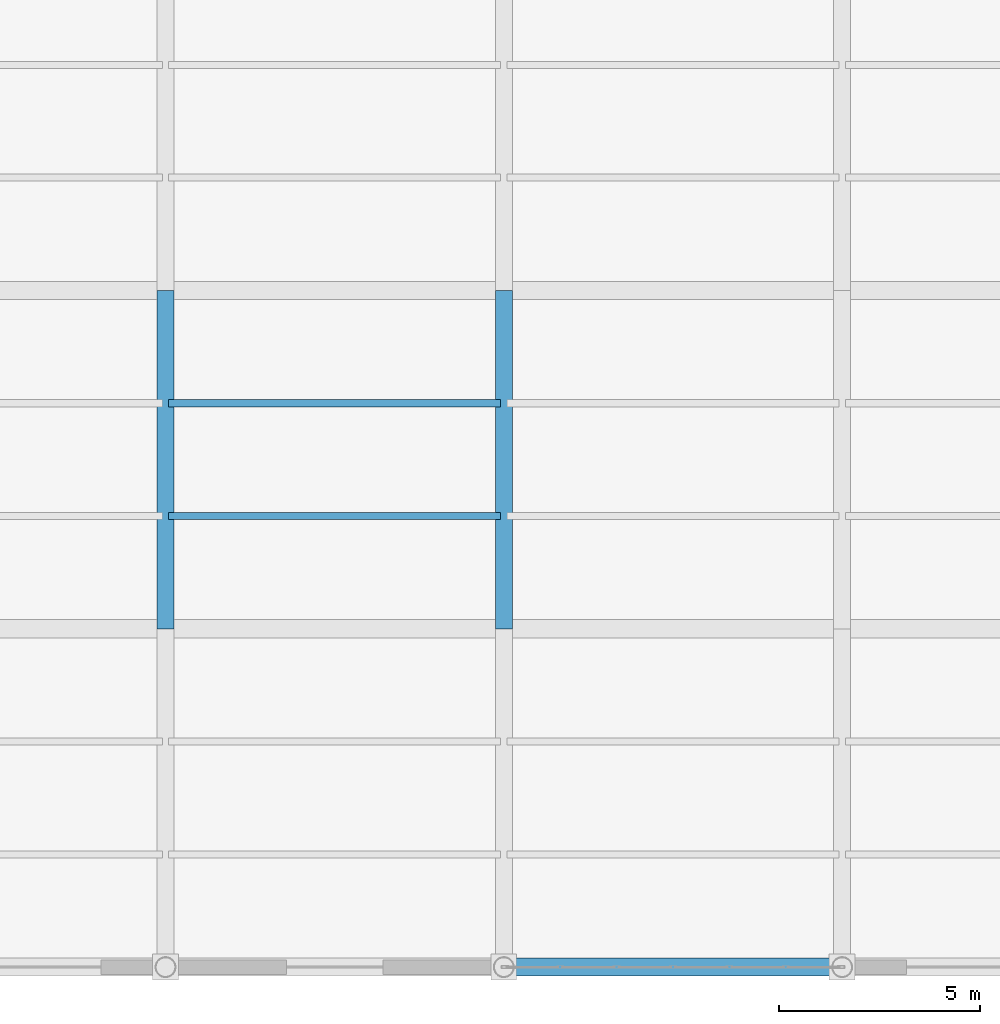
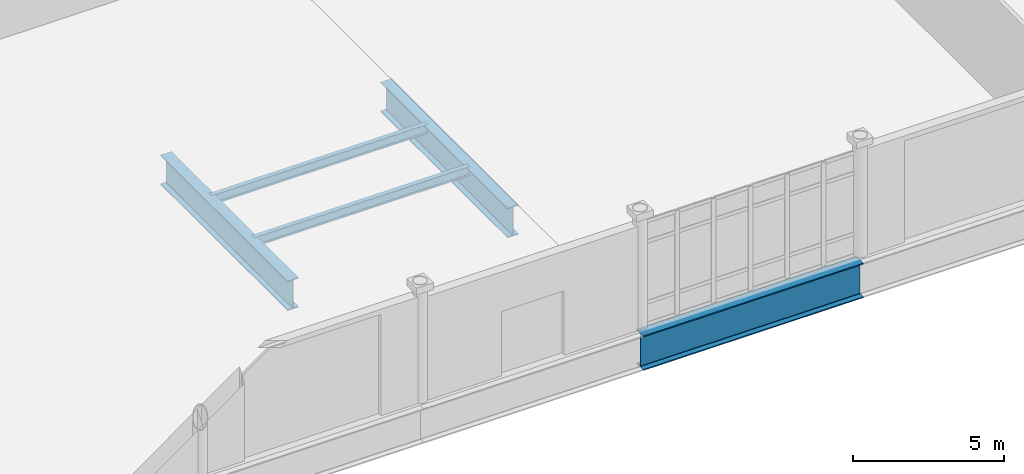
# One storey, part 47 of 145: 5 beams.
"""IFC4 building model written with IfcOpenShell, lengths in metres."""

import ifcopenshell
import ifcopenshell.guid

model = None  # the IFC model being written
_history = None  # IfcOwnerHistory: only IFC2X3 demands one
_inside = {}  # id of a spatial element -> (the spatial element, [elements in it])
_under = {}  # id of a project, library or spatial element -> (it, [spatial elements below it])
_declared = {}  # id of a project -> (the project, [libraries it declares])
_typed = {}  # id of a type object -> (the type object, [elements of that type])
_made_of = {}  # id of a material, layer set ... -> (it, [elements and type objects made of it])


def new_model(schema):
    """Start an empty IFC model of exactly this schema.

    Asked for "IFC4X3", IfcOpenShell would pick the latest addendum, in which some entities
    have other attributes; the version numbers below select the first issue.
    IFC2X3 requires an IfcOwnerHistory on every rooted entity: one is made here for all.
    """
    global model, _history
    if schema == "IFC4X3":
        model = ifcopenshell.file(schema_version=(4, 3, 0, 0))
    else:
        model = ifcopenshell.file(schema=schema)
    _inside.clear()
    _under.clear()
    _declared.clear()
    _typed.clear()
    _made_of.clear()
    _history = None
    if model.schema == "IFC2X3":
        org = make("IfcOrganization", Name="unknown")
        user = make(
            "IfcPersonAndOrganization",
            ThePerson=make("IfcPerson", FamilyName="unknown"),
            TheOrganization=org,
        )
        app = make(
            "IfcApplication",
            ApplicationDeveloper=org,
            Version="unknown",
            ApplicationFullName="unknown",
            ApplicationIdentifier="unknown",
        )
        _history = make(
            "IfcOwnerHistory",
            OwningUser=user,
            OwningApplication=app,
            ChangeAction="ADDED",
            CreationDate=0,
        )
    return model


def make(cls, **values):
    """One entity of the class cls with the attributes given. An attribute that is None is left unset."""
    return model.create_entity(
        cls, **{name: value for name, value in values.items() if value is not None}
    )


def rooted(cls, **values):
    """An entity with a GlobalId (a new one), such as an element, a storey or a relation."""
    return make(cls, GlobalId=ifcopenshell.guid.new(), OwnerHistory=_history, **values)


def si_unit(unit_type, name, prefix=None):
    """IfcSIUnit, for example si_unit("LENGTHUNIT", "METRE", prefix="MILLI")."""
    return make("IfcSIUnit", UnitType=unit_type, Prefix=prefix, Name=name)


def assignment(units):
    """IfcUnitAssignment: the units of a project."""
    return None if units is None else make("IfcUnitAssignment", Units=units)


def point(xyz):
    """IfcCartesianPoint."""
    return None if xyz is None else make("IfcCartesianPoint", Coordinates=xyz)


def direction(xyz):
    """IfcDirection."""
    return None if xyz is None else make("IfcDirection", DirectionRatios=xyz)


def frame(location, z_axis=None, x_axis=None):
    """IfcAxis2Placement3D, a coordinate frame: its origin and axes. An axis left out is left unset."""
    return make(
        "IfcAxis2Placement3D",
        Location=point(location),
        Axis=direction(z_axis),
        RefDirection=direction(x_axis),
    )


def frame_2d(location, x_axis=None):
    """IfcAxis2Placement2D, a coordinate frame in the plane: its origin and x axis."""
    return make(
        "IfcAxis2Placement2D", Location=point(location), RefDirection=direction(x_axis)
    )


def origin():
    """The frame at (0, 0, 0) with its axes left unset."""
    return frame((0.0, 0.0, 0.0))


def origin_2d():
    """The frame at (0, 0) in the plane with its x axis left unset."""
    return frame_2d((0.0, 0.0))


def place(relative_to, where):
    """IfcLocalPlacement: puts the frame where relative to a parent placement (None: the world)."""
    return make(
        "IfcLocalPlacement", PlacementRelTo=relative_to, RelativePlacement=where
    )


def context(
    kind, dimensions, precision=None, world=None, true_north=None, identifier=None
):
    """IfcGeometricRepresentationContext, for example the 3D "Model" context."""
    return make(
        "IfcGeometricRepresentationContext",
        ContextIdentifier=identifier,
        ContextType=kind,
        CoordinateSpaceDimension=dimensions,
        Precision=precision,
        WorldCoordinateSystem=world,
        TrueNorth=true_north,
    )


def subcontext(parent, identifier, kind, view, scale=None):
    """IfcGeometricRepresentationSubContext, for example "Body" below "Model"."""
    return make(
        "IfcGeometricRepresentationSubContext",
        ContextIdentifier=identifier,
        ContextType=kind,
        ParentContext=parent,
        TargetScale=scale,
        TargetView=view,
    )


def project(units=None, contexts=None):
    """IfcProject with its units and contexts."""
    return rooted(
        "IfcProject",
        Name="project",
        RepresentationContexts=contexts,
        UnitsInContext=assignment(units),
    )


def spatial(cls, under=None, at=None, **own):
    """A site, building, storey or space (cls), placed at a placement, below another one or the project."""
    s = rooted(cls, ObjectPlacement=at, **own)
    if under is not None:
        _under.setdefault(under.id(), (under, []))[1].append(s)
    return s


def profile(cls, at=None, kind="AREA", **sizes):
    """A parametric profile (cls). Its sizes go by their IFC names, for example OverallWidth=200.0."""
    return make(cls, ProfileType=kind, Position=at, **sizes)


def i_section(**sizes):
    """IfcIShapeProfileDef."""
    return profile("IfcIShapeProfileDef", **sizes)


def extrude(swept, where, along, depth):
    """IfcExtrudedAreaSolid: the profile swept, set in the frame where, extruded along a direction by depth."""
    return make(
        "IfcExtrudedAreaSolid",
        SweptArea=swept,
        Position=where,
        ExtrudedDirection=direction(along),
        Depth=depth,
    )


def shape(context_of_items, identifier, shape_type, items):
    """IfcShapeRepresentation: the items that make up one representation, for example the "Body"."""
    return make(
        "IfcShapeRepresentation",
        ContextOfItems=context_of_items,
        RepresentationIdentifier=identifier,
        RepresentationType=shape_type,
        Items=items,
    )


def material(Name=None, Category=None):
    """IfcMaterial."""
    return make("IfcMaterial", Name=Name, Category=Category)


def material_profile(
    of_material, cross_section, Name=None, Category=None, Priority=None
):
    """IfcMaterialProfile: a cross section and its material."""
    return make(
        "IfcMaterialProfile",
        Name=Name,
        Material=of_material,
        Profile=cross_section,
        Priority=Priority,
        Category=Category,
    )


def profile_set(profiles, Name=None, composite=None):
    """IfcMaterialProfileSet."""
    return make(
        "IfcMaterialProfileSet",
        Name=Name,
        MaterialProfiles=profiles,
        CompositeProfile=composite,
    )


def made_of(thing, what):
    """Note that an element or type object is made of a material, layer set ...; save() writes the relation."""
    if what is not None:
        _made_of.setdefault(what.id(), (what, []))[1].append(thing)
    return thing


def type_object(cls, material=None, **own):
    """A type object (cls), such as IfcWallType, which elements share."""
    return made_of(rooted(cls, **own), material)


def element(
    cls,
    number,
    at=None,
    inside=None,
    cuts=None,
    type_object=None,
    material=None,
    context=None,
    identifier="Body",
    shape_type=None,
    held_by="IfcProductDefinitionShape",
    body=None,
    shapes=None,
    **own,
):
    """One element of the class cls, such as IfcWall. Its Tag is "e" and its number.

    at: its placement. inside: the storey or other place that contains it. cuts: it is an
    opening in that element (IfcRelVoidsElement). A single representation is given by context,
    identifier, shape_type and body (its items); several are given by shapes. held_by: the class
    of the entity that holds the representations. save() writes the other relations.
    """
    e = rooted(cls, Tag="e%d" % number, ObjectPlacement=at, **own)
    if body is not None:
        shapes = [shape(context, identifier, shape_type, body)]
    if shapes is not None:
        e.Representation = make(held_by, Representations=shapes)
    if inside is not None:
        _inside.setdefault(inside.id(), (inside, []))[1].append(e)
    if cuts is not None:
        rooted(
            "IfcRelVoidsElement", RelatingBuildingElement=cuts, RelatedOpeningElement=e
        )
    if type_object is not None:
        _typed.setdefault(type_object.id(), (type_object, []))[1].append(e)
    return made_of(e, material)


def aggregate(whole, parts):
    """IfcRelAggregates: a whole, such as a stair, and the parts it consists of."""
    return rooted("IfcRelAggregates", RelatingObject=whole, RelatedObjects=parts)


def save(model, path):
    """Write the relations noted so far, then the file.

    IfcRelAggregates (storeys below a building ...), IfcRelContainedInSpatialStructure (elements
    in a storey), IfcRelDefinesByType, IfcRelAssociatesMaterial and IfcRelDeclares: one each for
    every whole, place, type object, material and project.
    """
    for whole, parts in _under.values():
        aggregate(whole, parts)
    for where, things in _inside.values():
        rooted(
            "IfcRelContainedInSpatialStructure",
            RelatedElements=things,
            RelatingStructure=where,
        )
    for kind, things in _typed.values():
        rooted("IfcRelDefinesByType", RelatedObjects=things, RelatingType=kind)
    for what, things in _made_of.values():
        rooted("IfcRelAssociatesMaterial", RelatedObjects=things, RelatingMaterial=what)
    for by, libraries in _declared.values():
        rooted("IfcRelDeclares", RelatingContext=by, RelatedDefinitions=libraries)
    model.write(path)


model = new_model("IFC4")

# Units and contexts
model_context = context("Model", 3, precision=1e-05, world=origin(), true_north=direction((0.0, 1.0)))
body_context = subcontext(model_context, "Body", "Model", "MODEL_VIEW")
ifc_project = project(units=[si_unit("LENGTHUNIT", "METRE"), si_unit("AREAUNIT", "SQUARE_METRE"), si_unit("VOLUMEUNIT", "CUBIC_METRE"), si_unit("PLANEANGLEUNIT", "RADIAN"), si_unit("MASSUNIT", "GRAM", prefix="KILO")], contexts=[model_context])

# Site, building, storey
site_placement = place(None, origin())
site = spatial("IfcSite", under=ifc_project, at=site_placement, CompositionType="ELEMENT")
building_placement = place(site_placement, origin())
building = spatial("IfcBuilding", under=site, at=building_placement, Name="Qalvenar Corner Mobility Hub", CompositionType="ELEMENT")
storey_placement = place(building_placement, origin())
storey = spatial("IfcBuildingStorey", under=building, at=storey_placement, Name="L00", CompositionType="ELEMENT", Elevation=0.0)

# Beams
ifc_material = material(Name="Steel S355", Category="steel")
ifc_material_profile_1 = material_profile(ifc_material, i_section(OverallWidth=0.175048828125, OverallDepth=0.3798828125, WebThickness=0.00830078125, FlangeThickness=0.012939453125, FilletRadius=0.01806640625, at=origin_2d()), Name="IPE380-EQ")
ifc_profile_set_1 = profile_set([ifc_material_profile_1], Name="Steel S355")
beam_type_1 = type_object("IfcBeamType", Name="BM-JST380", PredefinedType="JOIST", material=ifc_profile_set_1)
for number, where, z_axis, x_axis, name in (
    (1, (67.278076171875, 11.199951171875, -0.43994140625), (1.0, 0.0, 0.0), (0.0, 1.0, 0.0), "Composite Floor Joist J-0210"),
    (2, (67.278076171875, 14.0, -0.43994140625), (1.0, 0.0, 0.0), (0.0, 1.0, 0.0), "Composite Floor Joist J-0211"),
):
    element("IfcBeam", number, at=place(storey_placement, frame(where, z_axis=z_axis, x_axis=x_axis)), inside=storey, type_object=beam_type_1, Name=name, PredefinedType="JOIST", context=body_context, shape_type="SweptSolid", body=[
        extrude(i_section(OverallWidth=0.175048828125, OverallDepth=0.3798828125, WebThickness=0.00830078125, FlangeThickness=0.012939453125, FilletRadius=0.01806640625, at=origin_2d()), origin(), (0.0, 0.0, 1.0), 8.243896484375),
    ])
ifc_material_profile_2 = material_profile(ifc_material, i_section(OverallWidth=0.419921875, OverallDepth=1.199951171875, WebThickness=0.02197265625, FlangeThickness=0.0380859375, FilletRadius=0.02392578125, at=origin_2d()), Name="W1100x390-TG1200")
ifc_profile_set_2 = profile_set([ifc_material_profile_2], Name="Steel S355")
beam_type_2 = type_object("IfcBeamType", Name="BM-TG1200", PredefinedType="T_BEAM", material=ifc_profile_set_2)
for number, where, z_axis, x_axis, name in (
    (3, (67.199951171875, 8.39990234375, -0.85009765625), (0.0, 1.0, 0.0), (-1.0, 0.0, 0.0), "Transfer Girder TG-0169"),
    (4, (75.60009765625, 8.39990234375, -0.85009765625), (0.0, 1.0, 0.0), (-1.0, 0.0, 0.0), "Transfer Girder TG-0173"),
):
    element("IfcBeam", number, at=place(storey_placement, frame(where, z_axis=z_axis, x_axis=x_axis)), inside=storey, type_object=beam_type_2, Name=name, PredefinedType="T_BEAM", context=body_context, shape_type="SweptSolid", body=[
        extrude(i_section(OverallWidth=0.419921875, OverallDepth=1.199951171875, WebThickness=0.02197265625, FlangeThickness=0.0380859375, FilletRadius=0.02392578125, at=origin_2d()), origin(), (0.0, 0.0, 1.0), 8.400146484375),
    ])
ifc_material_profile_3 = material_profile(ifc_material, i_section(OverallWidth=0.449951171875, OverallDepth=1.39990234375, WebThickness=0.02587890625, FlangeThickness=0.0439453125, FilletRadius=0.02392578125, at=origin_2d()), Name="W1100x499-TG1400")
ifc_profile_set_3 = profile_set([ifc_material_profile_3], Name="Steel S355")
beam_type_3 = type_object("IfcBeamType", Name="BM-TG1400", PredefinedType="T_BEAM", material=ifc_profile_set_3)
beam_placement = place(storey_placement, frame((75.60009765625, 0.0, -0.949951171875), z_axis=(1.0, 0.0, 0.0), x_axis=(0.0, 1.0, 0.0)))
element("IfcBeam", 5, at=beam_placement, inside=storey, type_object=beam_type_3, Name="Transfer Girder TG-0132", PredefinedType="T_BEAM", context=body_context, shape_type="SweptSolid", body=[
    extrude(i_section(OverallWidth=0.449951171875, OverallDepth=1.39990234375, WebThickness=0.02587890625, FlangeThickness=0.0439453125, FilletRadius=0.02392578125, at=origin_2d()), origin(), (0.0, 0.0, 1.0), 8.39990234375),
])

save(model, "model.ifc")
